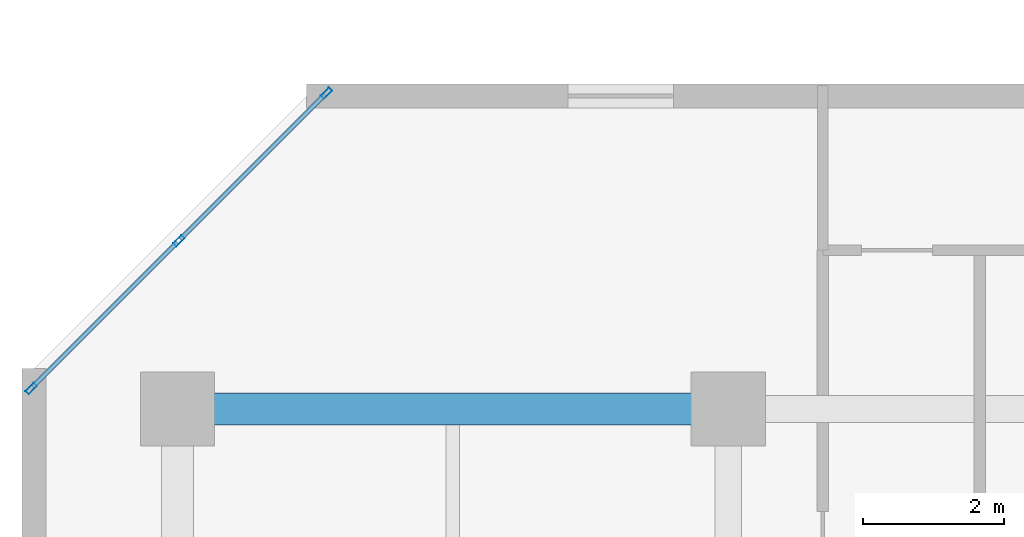
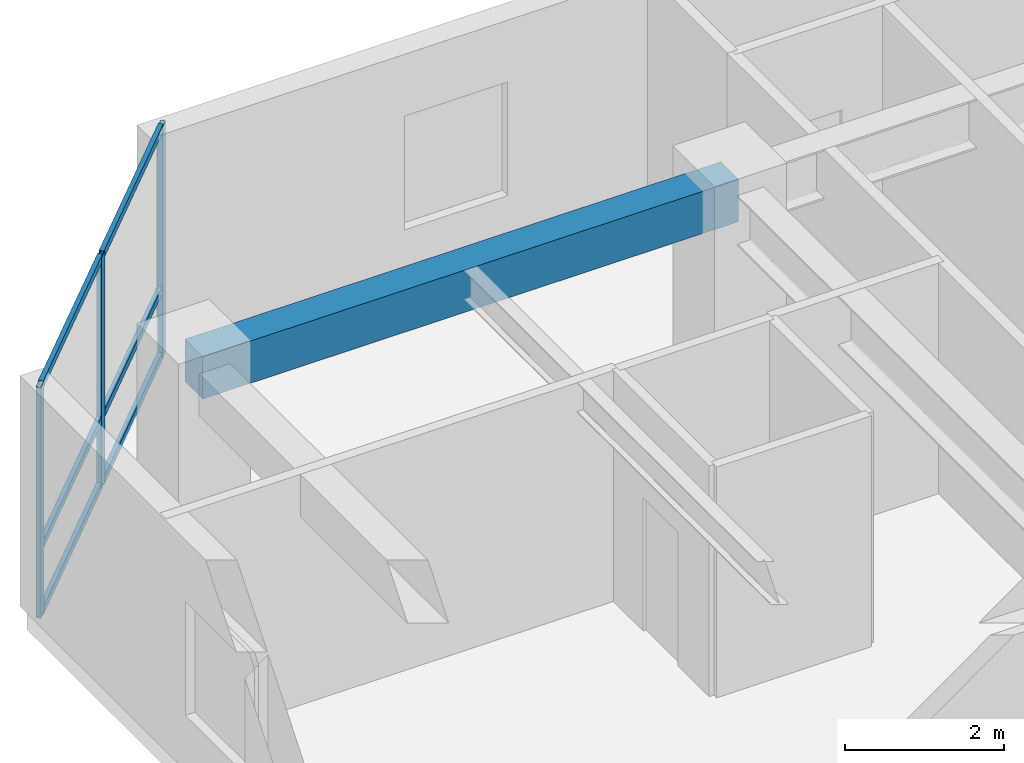
# One storey, part 2 of 9: 9 members, 1 beam, 1 element without a shape of its own.
"""IFC4 building model written with IfcOpenShell, lengths in metres."""

from ifc_helpers import new_model, si_unit, direction, frame, origin, origin_2d, place, context, subcontext, project, spatial, rectangle, hollow_rectangle, extrude, material, layer, layer_set, material_profile, profile_set, type_object, element, aggregate, save


model = new_model("IFC4")

# Units and contexts
model_context = context("Model", 3, precision=1e-05, world=origin(), true_north=direction((0.0, 1.0)))
body_context = subcontext(model_context, "Body", "Model", "MODEL_VIEW")
ifc_project = project(units=[si_unit("LENGTHUNIT", "METRE"), si_unit("AREAUNIT", "SQUARE_METRE"), si_unit("VOLUMEUNIT", "CUBIC_METRE"), si_unit("PLANEANGLEUNIT", "RADIAN"), si_unit("MASSUNIT", "GRAM", prefix="KILO")], contexts=[model_context])

# Site, building, storey
site_placement = place(None, origin())
site = spatial("IfcSite", under=ifc_project, at=site_placement, CompositionType="ELEMENT")
building_placement = place(site_placement, origin())
building = spatial("IfcBuilding", under=site, at=building_placement, Name="Kestravale Grand Hotel", CompositionType="ELEMENT")
storey_placement = place(building_placement, frame((0.0, 0.0, 146.0)))
storey = spatial("IfcBuildingStorey", under=building, at=storey_placement, Name="L36", CompositionType="ELEMENT", Elevation=146.0)

# Beam
ifc_material_1 = material(Name="Concrete f'c 45 MPa", Category="concrete")
ifc_material_profile_1 = material_profile(ifc_material_1, rectangle(XDim=0.449951171875, YDim=0.64990234375, at=origin_2d()))
ifc_profile_set_1 = profile_set([ifc_material_profile_1], Name="Concrete f'c 45 MPa")
beam_type = type_object("IfcBeamType", Name="B-FLR-RC650", PredefinedType="SPANDREL", material=ifc_profile_set_1)
beam_placement = place(storey_placement, frame((7.800048828125, 38.39990234375, 3.22509765625), z_axis=(1.0, 0.0, 0.0), x_axis=(0.0, 1.0, 0.0)))
element("IfcBeam", 1, at=beam_placement, inside=storey, type_object=beam_type, Name="L36 spandrel F:2-3", PredefinedType="SPANDREL", context=body_context, shape_type="SweptSolid", body=[
    extrude(rectangle(XDim=0.449951171875, YDim=0.64990234375, at=origin_2d()), origin(), (0.0, 0.0, 1.0), 7.800048828125),
])

# Curtain wall, members
ifc_material_2 = material(Name="Thermally broken champagne-bronze aluminium and low-E glazing", Category="aluminium")
ifc_layer = layer(ifc_material_2, 0.179931640625)
ifc_layer_set = layer_set([ifc_layer], Name="CW-Z3")
curtain_wall_type = type_object("IfcCurtainWallType", Name="CW-Z3", PredefinedType="NOTDEFINED", material=ifc_layer_set)
curtain_wall_placement = place(storey_placement, origin())
curtain_wall = element("IfcCurtainWall", 2, at=curtain_wall_placement, inside=storey, type_object=curtain_wall_type, Name="L36 unitised curtain wall 18", PredefinedType="NOTDEFINED")
ifc_material_3 = material(Name="Aluminium 6063-T6 anodised", Category="aluminium")
ifc_material_profile_2 = material_profile(ifc_material_3, hollow_rectangle(XDim=0.06494140625, YDim=0.1650390625, WallThickness=0.00341796875, at=origin_2d()))
ifc_profile_set_2 = profile_set([ifc_material_profile_2], Name="Aluminium 6063-T6 anodised")
member_type_1 = type_object("IfcMemberType", Name="CW-MUL-165", PredefinedType="MULLION", material=ifc_profile_set_2)
member_1_placement = place(storey_placement, frame((9.911376953125, 42.87109375, 0.0), z_axis=(0.0, 0.0, 1.0), x_axis=(0.707106781187, -0.707106781187, 0.0)))
member_1 = element("IfcMember", 3, at=member_1_placement, type_object=member_type_1, Name="CW-Z3 mullion 1", PredefinedType="MULLION", context=body_context, shape_type="SweptSolid", body=[
    extrude(hollow_rectangle(XDim=0.06494140625, YDim=0.1650390625, WallThickness=0.00341796875, at=origin_2d()), origin(), (0.0, 0.0, 1.0), 3.550048828125),
])
member_2_placement = place(storey_placement, frame((7.8203125, 40.77978515625, 0.0), z_axis=(0.0, 0.0, 1.0), x_axis=(0.707106781187, -0.707106781187, 0.0)))
member_2 = element("IfcMember", 4, at=member_2_placement, type_object=member_type_1, Name="CW-Z3 mullion 2", PredefinedType="MULLION", context=body_context, shape_type="SweptSolid", body=[
    extrude(hollow_rectangle(XDim=0.06494140625, YDim=0.1650390625, WallThickness=0.00341796875, at=origin_2d()), origin(), (0.0, 0.0, 1.0), 3.550048828125),
])
member_3_placement = place(storey_placement, frame((5.72900390625, 38.6884765625, 0.0), z_axis=(0.0, 0.0, 1.0), x_axis=(0.707106781187, -0.707106781187, 0.0)))
member_3 = element("IfcMember", 5, at=member_3_placement, type_object=member_type_1, Name="CW-Z3 mullion 3", PredefinedType="MULLION", context=body_context, shape_type="SweptSolid", body=[
    extrude(hollow_rectangle(XDim=0.06494140625, YDim=0.1650390625, WallThickness=0.00341796875, at=origin_2d()), origin(), (0.0, 0.0, 1.0), 3.550048828125),
])
ifc_material_4 = material(Name="Aluminium 6063-T6 anodised", Category="aluminium")
ifc_material_profile_3 = material_profile(ifc_material_4, hollow_rectangle(XDim=0.06494140625, YDim=0.114990234375, WallThickness=0.003173828125, at=origin_2d()))
ifc_profile_set_3 = profile_set([ifc_material_profile_3], Name="Aluminium 6063-T6 anodised")
member_type_2 = type_object("IfcMemberType", Name="CW-TRN-115", PredefinedType="USERDEFINED", material=ifc_profile_set_3)
member_4_placement = place(storey_placement, frame((9.888427734375, 42.84814453125, 0.032470703125), z_axis=(-0.707064577195, -0.707148982659, 0.0), x_axis=(0.707148982659, -0.707064577195, 0.0)))
member_4 = element("IfcMember", 6, at=member_4_placement, type_object=member_type_2, Name="CW-Z3 transom 1.1", ObjectType="TRANSOM", PredefinedType="USERDEFINED", context=body_context, shape_type="SweptSolid", body=[
    extrude(hollow_rectangle(XDim=0.06494140625, YDim=0.114990234375, WallThickness=0.003173828125, at=origin_2d()), origin(), (0.0, 0.0, 1.0), 2.892578125),
])
member_5_placement = place(storey_placement, frame((9.888427734375, 42.84814453125, 1.050048828125), z_axis=(-0.707064577195, -0.707148982659, 0.0), x_axis=(0.707148982659, -0.707064577195, 0.0)))
member_5 = element("IfcMember", 7, at=member_5_placement, type_object=member_type_2, Name="CW-Z3 transom 1.2", ObjectType="TRANSOM", PredefinedType="USERDEFINED", context=body_context, shape_type="SweptSolid", body=[
    extrude(hollow_rectangle(XDim=0.06494140625, YDim=0.114990234375, WallThickness=0.003173828125, at=origin_2d()), origin(), (0.0, 0.0, 1.0), 2.892578125),
])
member_6_placement = place(storey_placement, frame((9.888427734375, 42.84814453125, 3.517578125), z_axis=(-0.707064577195, -0.707148982659, 0.0), x_axis=(0.707148982659, -0.707064577195, 0.0)))
member_6 = element("IfcMember", 8, at=member_6_placement, type_object=member_type_2, Name="CW-Z3 transom 1.3", ObjectType="TRANSOM", PredefinedType="USERDEFINED", context=body_context, shape_type="SweptSolid", body=[
    extrude(hollow_rectangle(XDim=0.06494140625, YDim=0.114990234375, WallThickness=0.003173828125, at=origin_2d()), origin(), (0.0, 0.0, 1.0), 2.892578125),
])
member_7_placement = place(storey_placement, frame((7.797119140625, 40.7568359375, 0.032470703125), z_axis=(-0.707106781187, -0.707106781187, 0.0), x_axis=(0.707106781187, -0.707106781187, 0.0)))
member_7 = element("IfcMember", 9, at=member_7_placement, type_object=member_type_2, Name="CW-Z3 transom 2.1", ObjectType="TRANSOM", PredefinedType="USERDEFINED", context=body_context, shape_type="SweptSolid", body=[
    extrude(hollow_rectangle(XDim=0.06494140625, YDim=0.114990234375, WallThickness=0.003173828125, at=origin_2d()), origin(), (0.0, 0.0, 1.0), 2.892333984375),
])
member_8_placement = place(storey_placement, frame((7.797119140625, 40.7568359375, 1.050048828125), z_axis=(-0.707106781187, -0.707106781187, 0.0), x_axis=(0.707106781187, -0.707106781187, 0.0)))
member_8 = element("IfcMember", 10, at=member_8_placement, type_object=member_type_2, Name="CW-Z3 transom 2.2", ObjectType="TRANSOM", PredefinedType="USERDEFINED", context=body_context, shape_type="SweptSolid", body=[
    extrude(hollow_rectangle(XDim=0.06494140625, YDim=0.114990234375, WallThickness=0.003173828125, at=origin_2d()), origin(), (0.0, 0.0, 1.0), 2.892333984375),
])
member_9_placement = place(storey_placement, frame((7.797119140625, 40.7568359375, 3.517578125), z_axis=(-0.707106781187, -0.707106781187, 0.0), x_axis=(0.707106781187, -0.707106781187, 0.0)))
member_9 = element("IfcMember", 11, at=member_9_placement, type_object=member_type_2, Name="CW-Z3 transom 2.3", ObjectType="TRANSOM", PredefinedType="USERDEFINED", context=body_context, shape_type="SweptSolid", body=[
    extrude(hollow_rectangle(XDim=0.06494140625, YDim=0.114990234375, WallThickness=0.003173828125, at=origin_2d()), origin(), (0.0, 0.0, 1.0), 2.892333984375),
])
aggregate(curtain_wall, [member_1, member_2, member_3, member_4, member_5, member_6, member_7, member_8, member_9])

save(model, "model.ifc")
